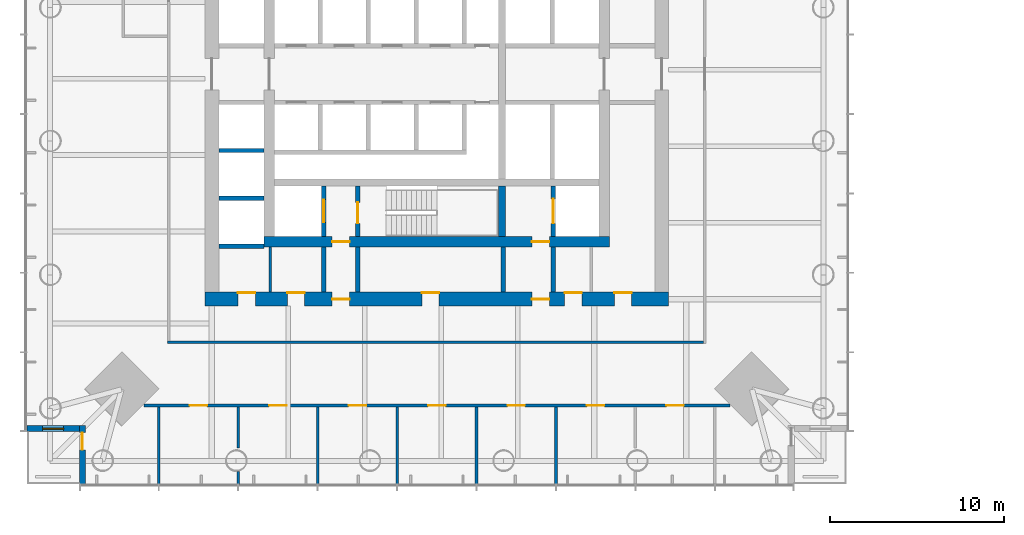
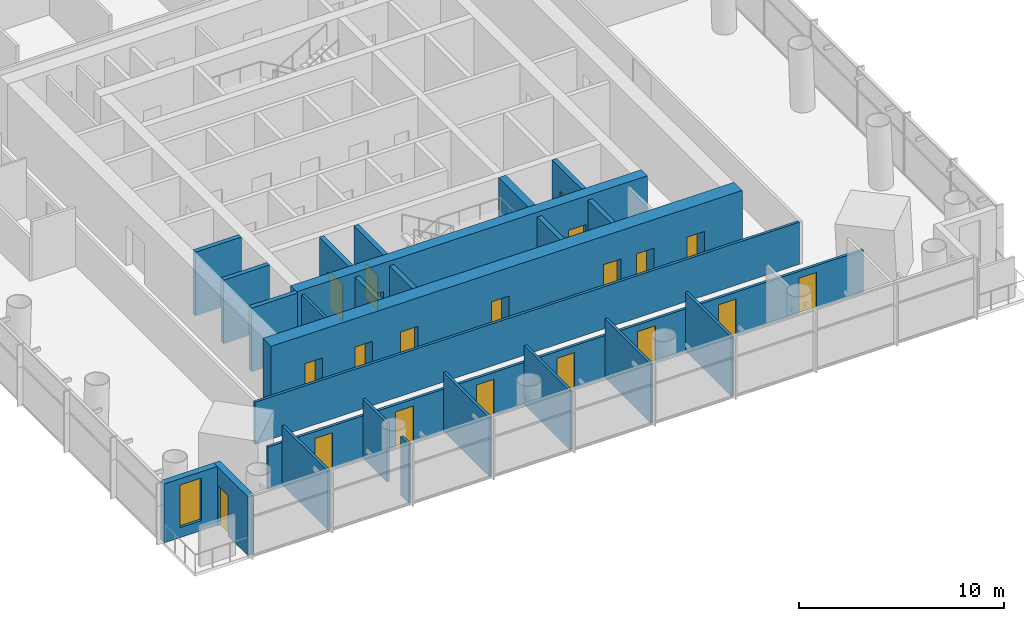
# One storey, part 12 of 24: 25 walls, 20 doors, 1 window, 21 openings.
"""IFC4 building model written with IfcOpenShell, lengths in metres."""

from ifc_helpers import new_model, si_unit, direction, frame, frame_2d, origin, place, context, subcontext, project, spatial, rectangle, extrude, material, layer, layer_set, type_object, element, fill, save


model = new_model("IFC4")

# Units and contexts
model_context = context("Model", 3, precision=1e-05, world=origin(), true_north=direction((0.0, 1.0)))
body_context = subcontext(model_context, "Body", "Model", "MODEL_VIEW")
ifc_project = project(units=[si_unit("LENGTHUNIT", "METRE"), si_unit("AREAUNIT", "SQUARE_METRE"), si_unit("VOLUMEUNIT", "CUBIC_METRE"), si_unit("PLANEANGLEUNIT", "RADIAN"), si_unit("MASSUNIT", "GRAM", prefix="KILO")], contexts=[model_context])

# Site, building, storey
site_placement = place(None, origin())
site = spatial("IfcSite", under=ifc_project, at=site_placement, CompositionType="ELEMENT")
building_placement = place(site_placement, origin())
building = spatial("IfcBuilding", under=site, at=building_placement, Name="Ostroluk Exchange", CompositionType="ELEMENT")
storey_placement = place(building_placement, frame((0.0, 0.0, 78.0)))
storey = spatial("IfcBuildingStorey", under=building, at=storey_placement, Name="L19", CompositionType="ELEMENT", Elevation=78.0)

# Walls
ifc_material_1 = material(Name="Concrete blockwork", Category="masonry")
ifc_layer_1 = layer(ifc_material_1, 0.14990234375)
ifc_layer_set_1 = layer_set([ifc_layer_1], Name="Blockwork plant room wall 150")
wall_type_1 = type_object("IfcWallType", Name="Blockwork plant room wall 150", PredefinedType="SOLIDWALL", material=ifc_layer_set_1)
wall_1_placement = place(storey_placement, frame((35.449951171875, 33.5, 0.0), z_axis=(0.0, 0.0, 1.0), x_axis=(0.0, 1.0, 0.0)))
element("IfcWall", 1, at=wall_1_placement, inside=storey, type_object=wall_type_1, Name="Core room wall", PredefinedType="SOLIDWALL", context=body_context, shape_type="SweptSolid", body=[
    extrude(rectangle(XDim=2.60009765625, YDim=0.14990234375, at=frame_2d((1.300048828125, 0.0))), origin(), (0.0, 0.0, 1.0), 3.52001953125),
])
ifc_material_2 = material(Name="Concrete blockwork", Category="masonry")
ifc_layer_2 = layer(ifc_material_2, 0.25)
ifc_layer_set_2 = layer_set([ifc_layer_2], Name="Blockwork stair enclosure wall 250")
wall_type_2 = type_object("IfcWallType", Name="Blockwork stair enclosure wall 250", PredefinedType="SOLIDWALL", material=ifc_layer_set_2)
for number, where, z_axis, x_axis, name in (
    (2, (38.52490234375, 33.5, 0.0), (0.0, 0.0, 1.0), (0.0, 1.0, 0.0), "Fire lobby enclosure wall"),
    (3, (40.47509765625, 33.5, 0.0), (0.0, 0.0, 1.0), (0.0, 1.0, 0.0), "Fire lobby enclosure wall"),
    (4, (48.804931640625, 33.5, 0.0), (0.0, 0.0, 1.0), (0.0, 1.0, 0.0), "Service lobby enclosure wall"),
    (5, (51.675048828125, 33.5, 0.0), (0.0, 0.0, 1.0), (0.0, 1.0, 0.0), "Service lobby enclosure wall"),
):
    element("IfcWall", number, at=place(storey_placement, frame(where, z_axis=z_axis, x_axis=x_axis)), inside=storey, type_object=wall_type_2, Name=name, PredefinedType="SOLIDWALL", context=body_context, shape_type="SweptSolid", body=[
        extrude(rectangle(XDim=2.60009765625, YDim=0.25, at=frame_2d((1.300048828125, 0.0))), origin(), (0.0, 0.0, 1.0), 3.52001953125),
    ])
ifc_material_3 = material(Name="Concrete C50/60", Category="concrete")
ifc_layer_3 = layer(ifc_material_3, 0.39990234375)
ifc_layer_set_3 = layer_set([ifc_layer_3], Name="Core cross wall 400 C50/60")
wall_type_3 = type_object("IfcWallType", Name="Core cross wall 400 C50/60", PredefinedType="SHEAR", material=ifc_layer_set_3)
wall_2_placement = place(storey_placement, frame((48.72998046875, 36.699951171875, 0.0), z_axis=(0.0, 0.0, 1.0), x_axis=(0.0, 1.0, 0.0)))
element("IfcWall", 6, at=wall_2_placement, inside=storey, type_object=wall_type_3, Name="T1 core wall YE1", PredefinedType="SHEAR", context=body_context, shape_type="SweptSolid", body=[
    extrude(rectangle(XDim=2.900146484375, YDim=0.39990234375, at=frame_2d((1.4501953125, 0.0))), origin(), (0.0, 0.0, 1.0), 3.800048828125),
])

# Wall, opening, door
ifc_material_4 = material(Name="Concrete C40/50", Category="concrete")
ifc_layer_4 = layer(ifc_material_4, 0.25)
ifc_layer_set_4 = layer_set([ifc_layer_4], Name="Core shaft wall 250")
wall_type_4 = type_object("IfcWallType", Name="Core shaft wall 250", PredefinedType="SHEAR", material=ifc_layer_set_4)
wall_3_placement = place(storey_placement, frame((38.52490234375, 36.699951171875, 0.0), z_axis=(0.0, 0.0, 1.0), x_axis=(0.0, 1.0, 0.0)))
wall_3 = element("IfcWall", 7, at=wall_3_placement, inside=storey, type_object=wall_type_4, Name="Firefighting lift shaft wall", PredefinedType="SHEAR", context=body_context, shape_type="SweptSolid", body=[
    extrude(rectangle(XDim=2.900146484375, YDim=0.25, at=frame_2d((1.4501953125, 0.0))), origin(), (0.0, 0.0, 1.0), 3.800048828125),
])
opening_1_placement = place(wall_3_placement, frame((0.800048828125, 0.0, 0.0)))
opening_1 = element("IfcOpeningElement", 8, at=opening_1_placement, cuts=wall_3, Name="Opening LD2", PredefinedType="OPENING", context=body_context, shape_type="SweptSolid", body=[
    extrude(rectangle(XDim=1.300048828125, YDim=2.199951171875, at=frame_2d((0.64990234375, 1.10009765625))), frame((0.0, 0.135009765625, 0.0), z_axis=(0.0, -1.0, 0.0), x_axis=(1.0, 0.0, 0.0)), (0.0, 0.0, 1.0), 0.27001953125),
])
ifc_material_5 = material(Name="Stainless steel", Category="steel")
door_type_1 = type_object("IfcDoorType", Name="Lift landing door E 60 1300 x 2200", OperationType="DOUBLE_DOOR_SLIDING", PredefinedType="DOOR", material=ifc_material_5)
door_1_placement = place(opening_1_placement, origin())
door_1 = element("IfcDoor", 9, at=door_1_placement, inside=storey, type_object=door_type_1, Name="Lift FL1 landing door", OperationType="DOUBLE_DOOR_SLIDING", OverallHeight=2.199951171875, OverallWidth=1.300048828125, PredefinedType="DOOR", context=body_context, shape_type="SweptSolid", body=[
    extrude(rectangle(XDim=1.300048828125, YDim=2.199951171875, at=frame_2d((0.64990234375, 1.10009765625))), frame((0.0, 0.02490234375, 0.0), z_axis=(0.0, -1.0, 0.0), x_axis=(1.0, 0.0, 0.0)), (0.0, 0.0, 1.0), 0.050048828125),
])
fill(opening_1, door_1)

wall_4_placement = place(storey_placement, frame((40.47509765625, 36.699951171875, 0.0), z_axis=(0.0, 0.0, 1.0), x_axis=(0.0, 1.0, 0.0)))
wall_4 = element("IfcWall", 10, at=wall_4_placement, inside=storey, type_object=wall_type_4, Name="Stair shaft wall", PredefinedType="SHEAR", context=body_context, shape_type="SweptSolid", body=[
    extrude(rectangle(XDim=2.900146484375, YDim=0.25, at=frame_2d((1.4501953125, 0.0))), origin(), (0.0, 0.0, 1.0), 3.800048828125),
])
opening_2_placement = place(wall_4_placement, frame((0.75, 0.0, 0.0)))
opening_2 = element("IfcOpeningElement", 11, at=opening_2_placement, cuts=wall_4, Name="Opening FD60S", PredefinedType="OPENING", context=body_context, shape_type="SweptSolid", body=[
    extrude(rectangle(XDim=1.199951171875, YDim=2.10009765625, at=frame_2d((0.60009765625, 1.050048828125))), frame((0.0, 0.135009765625, 0.0), z_axis=(0.0, -1.0, 0.0), x_axis=(1.0, 0.0, 0.0)), (0.0, 0.0, 1.0), 0.27001953125),
])
ifc_material_6 = material(Name="Steel", Category="steel")
door_type_2 = type_object("IfcDoorType", Name="Stair door EI 60 1200 x 2100", OperationType="SINGLE_SWING_LEFT", PredefinedType="DOOR", material=ifc_material_6)
door_2_placement = place(opening_2_placement, origin())
door_2 = element("IfcDoor", 12, at=door_2_placement, inside=storey, type_object=door_type_2, Name="Stair T1-S1 door", OperationType="SINGLE_SWING_LEFT", OverallHeight=2.10009765625, OverallWidth=1.199951171875, PredefinedType="DOOR", context=body_context, shape_type="SweptSolid", body=[
    extrude(rectangle(XDim=1.199951171875, YDim=2.10009765625, at=frame_2d((0.60009765625, 1.050048828125))), frame((0.0, 0.02490234375, 0.0), z_axis=(0.0, -1.0, 0.0), x_axis=(1.0, 0.0, 0.0)), (0.0, 0.0, 1.0), 0.050048828125),
])
fill(opening_2, door_2)

wall_5_placement = place(storey_placement, frame((51.675048828125, 36.699951171875, 0.0), z_axis=(0.0, 0.0, 1.0), x_axis=(0.0, 1.0, 0.0)))
wall_5 = element("IfcWall", 13, at=wall_5_placement, inside=storey, type_object=wall_type_4, Name="Service lift shaft wall", PredefinedType="SHEAR", context=body_context, shape_type="SweptSolid", body=[
    extrude(rectangle(XDim=2.900146484375, YDim=0.25, at=frame_2d((1.4501953125, 0.0))), origin(), (0.0, 0.0, 1.0), 3.800048828125),
])
opening_3_placement = place(wall_5_placement, frame((0.75, 0.0, 0.0)))
opening_3 = element("IfcOpeningElement", 14, at=opening_3_placement, cuts=wall_5, Name="Opening LD3", PredefinedType="OPENING", context=body_context, shape_type="SweptSolid", body=[
    extrude(rectangle(XDim=1.39990234375, YDim=2.39990234375, at=frame_2d((0.699951171875, 1.199951171875))), frame((0.0, 0.135009765625, 0.0), z_axis=(0.0, -1.0, 0.0), x_axis=(1.0, 0.0, 0.0)), (0.0, 0.0, 1.0), 0.27001953125),
])
ifc_material_7 = material(Name="Stainless steel", Category="steel")
door_type_3 = type_object("IfcDoorType", Name="Goods lift landing door E 60 1400 x 2400", OperationType="DOUBLE_DOOR_SLIDING", PredefinedType="DOOR", material=ifc_material_7)
door_3_placement = place(opening_3_placement, origin())
door_3 = element("IfcDoor", 15, at=door_3_placement, inside=storey, type_object=door_type_3, Name="Lift SL1 landing door", OperationType="DOUBLE_DOOR_SLIDING", OverallHeight=2.39990234375, OverallWidth=1.39990234375, PredefinedType="DOOR", context=body_context, shape_type="SweptSolid", body=[
    extrude(rectangle(XDim=1.39990234375, YDim=2.39990234375, at=frame_2d((0.699951171875, 1.199951171875))), frame((0.0, 0.02490234375, 0.0), z_axis=(0.0, -1.0, 0.0), x_axis=(1.0, 0.0, 0.0)), (0.0, 0.0, 1.0), 0.050048828125),
])
fill(opening_3, door_3)

# Walls
for number, where, z_axis, x_axis, name in (
    (16, (32.5, 36.125, 0.0), (0.0, 0.0, 1.0), (1.0, 0.0, 0.0), "Lift shaft wall"),
    (17, (32.5, 38.875, 0.0), (0.0, 0.0, 1.0), (1.0, 0.0, 0.0), "Lift shaft wall"),
    (18, (32.5, 41.625, 0.0), (0.0, 0.0, 1.0), (1.0, 0.0, 0.0), "Lift shaft wall"),
):
    element("IfcWall", number, at=place(storey_placement, frame(where, z_axis=z_axis, x_axis=x_axis)), inside=storey, type_object=wall_type_4, Name=name, PredefinedType="SHEAR", context=body_context, shape_type="SweptSolid", body=[
        extrude(rectangle(XDim=2.60009765625, YDim=0.25, at=frame_2d((1.300048828125, 0.0))), origin(), (0.0, 0.0, 1.0), 3.800048828125),
    ])

# Wall, openings, doors
ifc_material_8 = material(Name="Concrete C50/60", Category="concrete")
ifc_layer_5 = layer(ifc_material_8, 0.60009765625)
ifc_layer_set_5 = layer_set([ifc_layer_5], Name="Core wall 600 C50/60")
wall_type_5 = type_object("IfcWallType", Name="Core wall 600 C50/60", PredefinedType="SHEAR", material=ifc_layer_set_5)
wall_6_placement = place(storey_placement, frame((35.10009765625, 36.39990234375, 0.0), z_axis=(0.0, 0.0, 1.0), x_axis=(1.0, 0.0, 0.0)))
wall_6 = element("IfcWall", 19, at=wall_6_placement, inside=storey, type_object=wall_type_5, Name="T1 core wall S", PredefinedType="SHEAR", context=body_context, shape_type="SweptSolid", body=[
    extrude(rectangle(XDim=19.7998046875, YDim=0.60009765625, at=frame_2d((9.89990234375, 0.0))), origin(), (0.0, 0.0, 1.0), 3.800048828125),
])
opening_4_placement = place(wall_6_placement, frame((3.89990234375, 0.0, 0.0)))
opening_4 = element("IfcOpeningElement", 20, at=opening_4_placement, cuts=wall_6, Name="Opening FD60", PredefinedType="OPENING", context=body_context, shape_type="SweptSolid", body=[
    extrude(rectangle(XDim=1.0, YDim=2.10009765625, at=frame_2d((0.5, 1.050048828125))), frame((0.0, 0.31005859375, 0.0), z_axis=(0.0, -1.0, 0.0), x_axis=(1.0, 0.0, 0.0)), (0.0, 0.0, 1.0), 0.6201171875),
])
opening_5_placement = place(wall_6_placement, frame((15.35009765625, 0.0, 0.0)))
opening_5 = element("IfcOpeningElement", 21, at=opening_5_placement, cuts=wall_6, Name="Opening FD60", PredefinedType="OPENING", context=body_context, shape_type="SweptSolid", body=[
    extrude(rectangle(XDim=1.0, YDim=2.10009765625, at=frame_2d((0.5, 1.050048828125))), frame((0.0, 0.31005859375, 0.0), z_axis=(0.0, -1.0, 0.0), x_axis=(1.0, 0.0, 0.0)), (0.0, 0.0, 1.0), 0.6201171875),
])
ifc_material_9 = material(Name="Steel", Category="steel")
door_type_4 = type_object("IfcDoorType", Name="Fire door EI 60 1000 x 2100", OperationType="SINGLE_SWING_LEFT", PredefinedType="DOOR", material=ifc_material_9)
door_4_placement = place(opening_4_placement, origin())
door_4 = element("IfcDoor", 22, at=door_4_placement, inside=storey, type_object=door_type_4, Name="Firefighting lobby door", OperationType="SINGLE_SWING_LEFT", OverallHeight=2.10009765625, OverallWidth=1.0, PredefinedType="DOOR", context=body_context, shape_type="SweptSolid", body=[
    extrude(rectangle(XDim=1.0, YDim=2.10009765625, at=frame_2d((0.5, 1.050048828125))), frame((0.0, 0.02490234375, 0.0), z_axis=(0.0, -1.0, 0.0), x_axis=(1.0, 0.0, 0.0)), (0.0, 0.0, 1.0), 0.050048828125),
])
fill(opening_4, door_4)
door_5_placement = place(opening_5_placement, origin())
door_5 = element("IfcDoor", 23, at=door_5_placement, inside=storey, type_object=door_type_4, Name="Service lobby door", OperationType="SINGLE_SWING_RIGHT", OverallHeight=2.10009765625, OverallWidth=1.0, PredefinedType="DOOR", context=body_context, shape_type="SweptSolid", body=[
    extrude(rectangle(XDim=1.0, YDim=2.10009765625, at=frame_2d((0.5, 1.050048828125))), frame((0.0, 0.02490234375, 0.0), z_axis=(0.0, -1.0, 0.0), x_axis=(1.0, 0.0, 0.0)), (0.0, 0.0, 1.0), 0.050048828125),
])
fill(opening_5, door_5)

ifc_material_10 = material(Name="Concrete C50/60", Category="concrete")
ifc_layer_6 = layer(ifc_material_10, 0.800048828125)
ifc_layer_set_6 = layer_set([ifc_layer_6], Name="Core wall 800 C50/60")
wall_type_6 = type_object("IfcWallType", Name="Core wall 800 C50/60", PredefinedType="SHEAR", material=ifc_layer_set_6)
wall_7_placement = place(storey_placement, frame((31.699951171875, 33.10009765625, 0.0), z_axis=(0.0, 0.0, 1.0), x_axis=(1.0, 0.0, 0.0)))
wall_7 = element("IfcWall", 24, at=wall_7_placement, inside=storey, type_object=wall_type_6, Name="T1 core wall RS", PredefinedType="SHEAR", context=body_context, shape_type="SweptSolid", body=[
    extrude(rectangle(XDim=26.60009765625, YDim=0.800048828125, at=frame_2d((13.300048828125, 0.0))), origin(), (0.0, 0.0, 1.0), 3.800048828125),
])
opening_6_placement = place(wall_7_placement, frame((7.300048828125, 0.0, 0.0)))
opening_6 = element("IfcOpeningElement", 25, at=opening_6_placement, cuts=wall_7, Name="Opening FD60", PredefinedType="OPENING", context=body_context, shape_type="SweptSolid", body=[
    extrude(rectangle(XDim=1.0, YDim=2.10009765625, at=frame_2d((0.5, 1.050048828125))), frame((0.0, 0.409912109375, 0.0), z_axis=(0.0, -1.0, 0.0), x_axis=(1.0, 0.0, 0.0)), (0.0, 0.0, 1.0), 0.820068359375),
])
opening_7_placement = place(wall_7_placement, frame((18.75, 0.0, 0.0)))
opening_7 = element("IfcOpeningElement", 26, at=opening_7_placement, cuts=wall_7, Name="Opening FD60", PredefinedType="OPENING", context=body_context, shape_type="SweptSolid", body=[
    extrude(rectangle(XDim=1.0, YDim=2.10009765625, at=frame_2d((0.5, 1.050048828125))), frame((0.0, 0.409912109375, 0.0), z_axis=(0.0, -1.0, 0.0), x_axis=(1.0, 0.0, 0.0)), (0.0, 0.0, 1.0), 0.820068359375),
])
opening_8_placement = place(wall_7_placement, frame((1.89990234375, 0.0, 0.0)))
opening_8 = element("IfcOpeningElement", 27, at=opening_8_placement, cuts=wall_7, Name="Opening FD60", PredefinedType="OPENING", context=body_context, shape_type="SweptSolid", body=[
    extrude(rectangle(XDim=1.0, YDim=2.10009765625, at=frame_2d((0.5, 1.050048828125))), frame((0.0, 0.409912109375, 0.0), z_axis=(0.0, -1.0, 0.0), x_axis=(1.0, 0.0, 0.0)), (0.0, 0.0, 1.0), 0.820068359375),
])
opening_9_placement = place(wall_7_placement, frame((4.72509765625, 0.0, 0.0)))
opening_9 = element("IfcOpeningElement", 28, at=opening_9_placement, cuts=wall_7, Name="Opening FD60", PredefinedType="OPENING", context=body_context, shape_type="SweptSolid", body=[
    extrude(rectangle(XDim=1.0, YDim=2.10009765625, at=frame_2d((0.5, 1.050048828125))), frame((0.0, 0.409912109375, 0.0), z_axis=(0.0, -1.0, 0.0), x_axis=(1.0, 0.0, 0.0)), (0.0, 0.0, 1.0), 0.820068359375),
])
opening_10_placement = place(wall_7_placement, frame((12.43994140625, 0.0, 0.0)))
opening_10 = element("IfcOpeningElement", 29, at=opening_10_placement, cuts=wall_7, Name="Opening FD60", PredefinedType="OPENING", context=body_context, shape_type="SweptSolid", body=[
    extrude(rectangle(XDim=1.0, YDim=2.10009765625, at=frame_2d((0.5, 1.050048828125))), frame((0.0, 0.409912109375, 0.0), z_axis=(0.0, -1.0, 0.0), x_axis=(1.0, 0.0, 0.0)), (0.0, 0.0, 1.0), 0.820068359375),
])
opening_11_placement = place(wall_7_placement, frame((20.6259765625, 0.0, 0.0)))
opening_11 = element("IfcOpeningElement", 30, at=opening_11_placement, cuts=wall_7, Name="Opening FD60", PredefinedType="OPENING", context=body_context, shape_type="SweptSolid", body=[
    extrude(rectangle(XDim=1.0, YDim=2.10009765625, at=frame_2d((0.5, 1.050048828125))), frame((0.0, 0.409912109375, 0.0), z_axis=(0.0, -1.0, 0.0), x_axis=(1.0, 0.0, 0.0)), (0.0, 0.0, 1.0), 0.820068359375),
])
opening_12_placement = place(wall_7_placement, frame((23.47607421875, 0.0, 0.0)))
opening_12 = element("IfcOpeningElement", 31, at=opening_12_placement, cuts=wall_7, Name="Opening FD60", PredefinedType="OPENING", context=body_context, shape_type="SweptSolid", body=[
    extrude(rectangle(XDim=1.0, YDim=2.10009765625, at=frame_2d((0.5, 1.050048828125))), frame((0.0, 0.409912109375, 0.0), z_axis=(0.0, -1.0, 0.0), x_axis=(1.0, 0.0, 0.0)), (0.0, 0.0, 1.0), 0.820068359375),
])
door_6_placement = place(opening_6_placement, origin())
door_6 = element("IfcDoor", 32, at=door_6_placement, inside=storey, type_object=door_type_4, Name="Firefighting lobby door", OperationType="SINGLE_SWING_LEFT", OverallHeight=2.10009765625, OverallWidth=1.0, PredefinedType="DOOR", context=body_context, shape_type="SweptSolid", body=[
    extrude(rectangle(XDim=1.0, YDim=2.10009765625, at=frame_2d((0.5, 1.050048828125))), frame((0.0, 0.02490234375, 0.0), z_axis=(0.0, -1.0, 0.0), x_axis=(1.0, 0.0, 0.0)), (0.0, 0.0, 1.0), 0.050048828125),
])
fill(opening_6, door_6)
door_7_placement = place(opening_7_placement, origin())
door_7 = element("IfcDoor", 33, at=door_7_placement, inside=storey, type_object=door_type_4, Name="Service lobby door", OperationType="SINGLE_SWING_RIGHT", OverallHeight=2.10009765625, OverallWidth=1.0, PredefinedType="DOOR", context=body_context, shape_type="SweptSolid", body=[
    extrude(rectangle(XDim=1.0, YDim=2.10009765625, at=frame_2d((0.5, 1.050048828125))), frame((0.0, 0.02490234375, 0.0), z_axis=(0.0, -1.0, 0.0), x_axis=(1.0, 0.0, 0.0)), (0.0, 0.0, 1.0), 0.050048828125),
])
fill(opening_7, door_7)
door_8_placement = place(opening_8_placement, origin())
door_8 = element("IfcDoor", 34, at=door_8_placement, inside=storey, type_object=door_type_4, Name="Archive door", OperationType="SINGLE_SWING_LEFT", OverallHeight=2.10009765625, OverallWidth=1.0, PredefinedType="DOOR", context=body_context, shape_type="SweptSolid", body=[
    extrude(rectangle(XDim=1.0, YDim=2.10009765625, at=frame_2d((0.5, 1.050048828125))), frame((0.0, 0.39013671875, 0.0), z_axis=(0.0, -1.0, 0.0), x_axis=(1.0, 0.0, 0.0)), (0.0, 0.0, 1.0), 0.050048828125),
])
fill(opening_8, door_8)
door_9_placement = place(opening_9_placement, origin())
door_9 = element("IfcDoor", 35, at=door_9_placement, inside=storey, type_object=door_type_4, Name="Tenant IT room door", OperationType="SINGLE_SWING_LEFT", OverallHeight=2.10009765625, OverallWidth=1.0, PredefinedType="DOOR", context=body_context, shape_type="SweptSolid", body=[
    extrude(rectangle(XDim=1.0, YDim=2.10009765625, at=frame_2d((0.5, 1.050048828125))), frame((0.0, 0.39013671875, 0.0), z_axis=(0.0, -1.0, 0.0), x_axis=(1.0, 0.0, 0.0)), (0.0, 0.0, 1.0), 0.050048828125),
])
fill(opening_9, door_9)
door_10_placement = place(opening_10_placement, origin())
door_10 = element("IfcDoor", 36, at=door_10_placement, inside=storey, type_object=door_type_4, Name="Tea point door", OperationType="SINGLE_SWING_LEFT", OverallHeight=2.10009765625, OverallWidth=1.0, PredefinedType="DOOR", context=body_context, shape_type="SweptSolid", body=[
    extrude(rectangle(XDim=1.0, YDim=2.10009765625, at=frame_2d((0.5, 1.050048828125))), frame((0.0, 0.39013671875, 0.0), z_axis=(0.0, -1.0, 0.0), x_axis=(1.0, 0.0, 0.0)), (0.0, 0.0, 1.0), 0.050048828125),
])
fill(opening_10, door_10)
door_11_placement = place(opening_11_placement, origin())
door_11 = element("IfcDoor", 37, at=door_11_placement, inside=storey, type_object=door_type_4, Name="Comms room door", OperationType="SINGLE_SWING_RIGHT", OverallHeight=2.10009765625, OverallWidth=1.0, PredefinedType="DOOR", context=body_context, shape_type="SweptSolid", body=[
    extrude(rectangle(XDim=1.0, YDim=2.10009765625, at=frame_2d((0.5, 1.050048828125))), frame((0.0, 0.39013671875, 0.0), z_axis=(0.0, -1.0, 0.0), x_axis=(1.0, 0.0, 0.0)), (0.0, 0.0, 1.0), 0.050048828125),
])
fill(opening_11, door_11)
door_12_placement = place(opening_12_placement, origin())
door_12 = element("IfcDoor", 38, at=door_12_placement, inside=storey, type_object=door_type_4, Name="First aid room door", OperationType="SINGLE_SWING_RIGHT", OverallHeight=2.10009765625, OverallWidth=1.0, PredefinedType="DOOR", context=body_context, shape_type="SweptSolid", body=[
    extrude(rectangle(XDim=1.0, YDim=2.10009765625, at=frame_2d((0.5, 1.050048828125))), frame((0.0, 0.39013671875, 0.0), z_axis=(0.0, -1.0, 0.0), x_axis=(1.0, 0.0, 0.0)), (0.0, 0.0, 1.0), 0.050048828125),
])
fill(opening_12, door_12)

# Wall, opening, door
ifc_material_11 = material(Name="Limestone", Category="masonry")
ifc_layer_7 = layer(ifc_material_11, 0.35009765625)
ifc_layer_set_7 = layer_set([ifc_layer_7], Name="Limestone facade wall 350")
wall_type_7 = type_object("IfcWallType", Name="Limestone facade wall 350", PredefinedType="SOLIDWALL", material=ifc_layer_set_7)
wall_8_placement = place(storey_placement, frame((24.675048828125, 22.5, 0.0), z_axis=(0.0, 0.0, 1.0), x_axis=(0.0, 1.0, 0.0)))
wall_8 = element("IfcWall", 39, at=wall_8_placement, inside=storey, type_object=wall_type_7, Name="Office tower SW corner wall L19 a", PredefinedType="SOLIDWALL", context=body_context, shape_type="SweptSolid", body=[
    extrude(rectangle(XDim=3.35009765625, YDim=0.35009765625, at=frame_2d((1.675048828125, 0.0))), origin(), (0.0, 0.0, 1.0), 3.52001953125),
])
opening_13_placement = place(wall_8_placement, frame((1.949951171875, 0.0, 0.0)))
opening_13 = element("IfcOpeningElement", 40, at=opening_13_placement, cuts=wall_8, Name="Opening D-B1", PredefinedType="OPENING", context=body_context, shape_type="SweptSolid", body=[
    extrude(rectangle(XDim=1.0, YDim=2.39990234375, at=frame_2d((0.5, 1.199951171875))), frame((0.0, 0.18505859375, 0.0), z_axis=(0.0, -1.0, 0.0), x_axis=(1.0, 0.0, 0.0)), (0.0, 0.0, 1.0), 0.3701171875),
])
ifc_material_12 = material(Name="Bronze framed glazed door", Category="aluminium")
door_type_5 = type_object("IfcDoorType", Name="Balcony door 1000 x 2400", OperationType="SINGLE_SWING_LEFT", PredefinedType="DOOR", material=ifc_material_12)
door_13_placement = place(opening_13_placement, origin())
door_13 = element("IfcDoor", 41, at=door_13_placement, inside=storey, type_object=door_type_5, Name="Office tower SW balcony door L19", OperationType="SINGLE_SWING_RIGHT", OverallHeight=2.39990234375, OverallWidth=1.0, PredefinedType="DOOR", context=body_context, shape_type="SweptSolid", body=[
    extrude(rectangle(XDim=1.0, YDim=2.39990234375, at=frame_2d((0.5, 1.199951171875))), frame((0.0, 0.02490234375, 0.0), z_axis=(0.0, -1.0, 0.0), x_axis=(1.0, 0.0, 0.0)), (0.0, 0.0, 1.0), 0.050048828125),
])
fill(opening_13, door_13)

# Wall, opening, window
wall_9_placement = place(storey_placement, frame((24.5, 25.675048828125, 0.0), z_axis=(0.0, 0.0, 1.0), x_axis=(-1.0, 0.0, 0.0)))
wall_9 = element("IfcWall", 42, at=wall_9_placement, inside=storey, type_object=wall_type_7, Name="Office tower SW corner wall L19 b", PredefinedType="SOLIDWALL", context=body_context, shape_type="SweptSolid", body=[
    extrude(rectangle(XDim=3.0, YDim=0.35009765625, at=frame_2d((1.5, 0.0))), origin(), (0.0, 0.0, 1.0), 3.52001953125),
])
opening_14_placement = place(wall_9_placement, frame((0.89990234375, 0.0, 0.60009765625)))
opening_14 = element("IfcOpeningElement", 43, at=opening_14_placement, cuts=wall_9, Name="Opening WN-L1", PredefinedType="OPENING", context=body_context, shape_type="SweptSolid", body=[
    extrude(rectangle(XDim=1.199951171875, YDim=2.550048828125, at=frame_2d((0.60009765625, 1.27490234375))), frame((0.0, 0.18505859375, 0.0), z_axis=(0.0, -1.0, 0.0), x_axis=(1.0, 0.0, 0.0)), (0.0, 0.0, 1.0), 0.3701171875),
])
ifc_material_13 = material(Name="Laminated clear glass", Category="glass")
window_type = type_object("IfcWindowType", Name="Lancet window 1200 x 2550", PartitioningType="SINGLE_PANEL", PredefinedType="WINDOW", material=ifc_material_13)
window_placement = place(opening_14_placement, origin())
window = element("IfcWindow", 44, at=window_placement, inside=storey, type_object=window_type, Name="Office tower SW lancet window L19", OverallHeight=2.550048828125, OverallWidth=1.199951171875, PartitioningType="SINGLE_PANEL", PredefinedType="WINDOW", context=body_context, shape_type="SweptSolid", body=[
    extrude(rectangle(XDim=1.199951171875, YDim=2.550048828125, at=frame_2d((0.60009765625, 1.27490234375))), frame((0.0, 0.030029296875, 0.0), z_axis=(0.0, -1.0, 0.0), x_axis=(1.0, 0.0, 0.0)), (0.0, 0.0, 1.0), 0.06005859375),
])
fill(opening_14, window)

# Wall, openings, doors
ifc_material_14 = material(Name="Gypsum plasterboard partition", Category="gypsum")
ifc_layer_8 = layer(ifc_material_14, 0.14990234375)
ifc_layer_set_8 = layer_set([ifc_layer_8], Name="Plasterboard partition 150")
wall_type_8 = type_object("IfcWallType", Name="Plasterboard partition 150", PredefinedType="PARTITIONING", material=ifc_layer_set_8)
wall_10_placement = place(storey_placement, frame((28.1962890625, 27.0, 0.0), z_axis=(0.0, 0.0, 1.0), x_axis=(1.0, 0.0, 0.0)))
wall_10 = element("IfcWall", 45, at=wall_10_placement, inside=storey, type_object=wall_type_8, Name="Partition", PredefinedType="PARTITIONING", context=body_context, shape_type="SweptSolid", body=[
    extrude(rectangle(XDim=33.607421875, YDim=0.14990234375, at=frame_2d((16.8037109375, 0.0))), origin(), (0.0, 0.0, 1.0), 2.511962890625),
])
opening_15_placement = place(wall_10_placement, frame((2.636962890625, 0.0, 0.0)))
opening_15 = element("IfcOpeningElement", 46, at=opening_15_placement, cuts=wall_10, Name="Opening D-03", PredefinedType="OPENING", context=body_context, shape_type="SweptSolid", body=[
    extrude(rectangle(XDim=1.0, YDim=2.10009765625, at=frame_2d((0.5, 1.050048828125))), frame((0.0, 0.0849609375, 0.0), z_axis=(0.0, -1.0, 0.0), x_axis=(1.0, 0.0, 0.0)), (0.0, 0.0, 1.0), 0.169921875),
])
opening_16_placement = place(wall_10_placement, frame((7.192626953125, 0.0, 0.0)))
opening_16 = element("IfcOpeningElement", 47, at=opening_16_placement, cuts=wall_10, Name="Opening D-03", PredefinedType="OPENING", context=body_context, shape_type="SweptSolid", body=[
    extrude(rectangle(XDim=1.0, YDim=2.10009765625, at=frame_2d((0.5, 1.050048828125))), frame((0.0, 0.0849609375, 0.0), z_axis=(0.0, -1.0, 0.0), x_axis=(1.0, 0.0, 0.0)), (0.0, 0.0, 1.0), 0.169921875),
])
opening_17_placement = place(wall_10_placement, frame((11.748046875, 0.0, 0.0)))
opening_17 = element("IfcOpeningElement", 48, at=opening_17_placement, cuts=wall_10, Name="Opening D-03", PredefinedType="OPENING", context=body_context, shape_type="SweptSolid", body=[
    extrude(rectangle(XDim=1.0, YDim=2.10009765625, at=frame_2d((0.5, 1.050048828125))), frame((0.0, 0.0849609375, 0.0), z_axis=(0.0, -1.0, 0.0), x_axis=(1.0, 0.0, 0.0)), (0.0, 0.0, 1.0), 0.169921875),
])
opening_18_placement = place(wall_10_placement, frame((16.3037109375, 0.0, 0.0)))
opening_18 = element("IfcOpeningElement", 49, at=opening_18_placement, cuts=wall_10, Name="Opening D-03", PredefinedType="OPENING", context=body_context, shape_type="SweptSolid", body=[
    extrude(rectangle(XDim=1.0, YDim=2.10009765625, at=frame_2d((0.5, 1.050048828125))), frame((0.0, 0.0849609375, 0.0), z_axis=(0.0, -1.0, 0.0), x_axis=(1.0, 0.0, 0.0)), (0.0, 0.0, 1.0), 0.169921875),
])
opening_19_placement = place(wall_10_placement, frame((20.859130859375, 0.0, 0.0)))
opening_19 = element("IfcOpeningElement", 50, at=opening_19_placement, cuts=wall_10, Name="Opening D-03", PredefinedType="OPENING", context=body_context, shape_type="SweptSolid", body=[
    extrude(rectangle(XDim=1.0, YDim=2.10009765625, at=frame_2d((0.5, 1.050048828125))), frame((0.0, 0.0849609375, 0.0), z_axis=(0.0, -1.0, 0.0), x_axis=(1.0, 0.0, 0.0)), (0.0, 0.0, 1.0), 0.169921875),
])
opening_20_placement = place(wall_10_placement, frame((25.414794921875, 0.0, 0.0)))
opening_20 = element("IfcOpeningElement", 51, at=opening_20_placement, cuts=wall_10, Name="Opening D-03", PredefinedType="OPENING", context=body_context, shape_type="SweptSolid", body=[
    extrude(rectangle(XDim=1.0, YDim=2.10009765625, at=frame_2d((0.5, 1.050048828125))), frame((0.0, 0.0849609375, 0.0), z_axis=(0.0, -1.0, 0.0), x_axis=(1.0, 0.0, 0.0)), (0.0, 0.0, 1.0), 0.169921875),
])
opening_21_placement = place(wall_10_placement, frame((29.970458984375, 0.0, 0.0)))
opening_21 = element("IfcOpeningElement", 52, at=opening_21_placement, cuts=wall_10, Name="Opening D-03", PredefinedType="OPENING", context=body_context, shape_type="SweptSolid", body=[
    extrude(rectangle(XDim=1.0, YDim=2.10009765625, at=frame_2d((0.5, 1.050048828125))), frame((0.0, 0.0849609375, 0.0), z_axis=(0.0, -1.0, 0.0), x_axis=(1.0, 0.0, 0.0)), (0.0, 0.0, 1.0), 0.169921875),
])
ifc_material_15 = material(Name="Timber", Category="wood")
door_type_6 = type_object("IfcDoorType", Name="Internal door 1000 x 2100", OperationType="SINGLE_SWING_LEFT", PredefinedType="DOOR", material=ifc_material_15)
door_14_placement = place(opening_15_placement, origin())
door_14 = element("IfcDoor", 53, at=door_14_placement, inside=storey, type_object=door_type_6, Name="Office door", OperationType="SINGLE_SWING_LEFT", OverallHeight=2.10009765625, OverallWidth=1.0, PredefinedType="DOOR", context=body_context, shape_type="SweptSolid", body=[
    extrude(rectangle(XDim=1.0, YDim=2.10009765625, at=frame_2d((0.5, 1.050048828125))), frame((0.0, 0.02490234375, 0.0), z_axis=(0.0, -1.0, 0.0), x_axis=(1.0, 0.0, 0.0)), (0.0, 0.0, 1.0), 0.050048828125),
])
fill(opening_15, door_14)
door_15_placement = place(opening_16_placement, origin())
door_15 = element("IfcDoor", 54, at=door_15_placement, inside=storey, type_object=door_type_6, Name="Office door", OperationType="SINGLE_SWING_LEFT", OverallHeight=2.10009765625, OverallWidth=1.0, PredefinedType="DOOR", context=body_context, shape_type="SweptSolid", body=[
    extrude(rectangle(XDim=1.0, YDim=2.10009765625, at=frame_2d((0.5, 1.050048828125))), frame((0.0, 0.02490234375, 0.0), z_axis=(0.0, -1.0, 0.0), x_axis=(1.0, 0.0, 0.0)), (0.0, 0.0, 1.0), 0.050048828125),
])
fill(opening_16, door_15)
door_16_placement = place(opening_17_placement, origin())
door_16 = element("IfcDoor", 55, at=door_16_placement, inside=storey, type_object=door_type_6, Name="Office door", OperationType="SINGLE_SWING_LEFT", OverallHeight=2.10009765625, OverallWidth=1.0, PredefinedType="DOOR", context=body_context, shape_type="SweptSolid", body=[
    extrude(rectangle(XDim=1.0, YDim=2.10009765625, at=frame_2d((0.5, 1.050048828125))), frame((0.0, 0.02490234375, 0.0), z_axis=(0.0, -1.0, 0.0), x_axis=(1.0, 0.0, 0.0)), (0.0, 0.0, 1.0), 0.050048828125),
])
fill(opening_17, door_16)
door_17_placement = place(opening_18_placement, origin())
door_17 = element("IfcDoor", 56, at=door_17_placement, inside=storey, type_object=door_type_6, Name="Office door", OperationType="SINGLE_SWING_RIGHT", OverallHeight=2.10009765625, OverallWidth=1.0, PredefinedType="DOOR", context=body_context, shape_type="SweptSolid", body=[
    extrude(rectangle(XDim=1.0, YDim=2.10009765625, at=frame_2d((0.5, 1.050048828125))), frame((0.0, 0.02490234375, 0.0), z_axis=(0.0, -1.0, 0.0), x_axis=(1.0, 0.0, 0.0)), (0.0, 0.0, 1.0), 0.050048828125),
])
fill(opening_18, door_17)
door_18_placement = place(opening_19_placement, origin())
door_18 = element("IfcDoor", 57, at=door_18_placement, inside=storey, type_object=door_type_6, Name="Office door", OperationType="SINGLE_SWING_RIGHT", OverallHeight=2.10009765625, OverallWidth=1.0, PredefinedType="DOOR", context=body_context, shape_type="SweptSolid", body=[
    extrude(rectangle(XDim=1.0, YDim=2.10009765625, at=frame_2d((0.5, 1.050048828125))), frame((0.0, 0.02490234375, 0.0), z_axis=(0.0, -1.0, 0.0), x_axis=(1.0, 0.0, 0.0)), (0.0, 0.0, 1.0), 0.050048828125),
])
fill(opening_19, door_18)
door_19_placement = place(opening_20_placement, origin())
door_19 = element("IfcDoor", 58, at=door_19_placement, inside=storey, type_object=door_type_6, Name="Office door", OperationType="SINGLE_SWING_RIGHT", OverallHeight=2.10009765625, OverallWidth=1.0, PredefinedType="DOOR", context=body_context, shape_type="SweptSolid", body=[
    extrude(rectangle(XDim=1.0, YDim=2.10009765625, at=frame_2d((0.5, 1.050048828125))), frame((0.0, 0.02490234375, 0.0), z_axis=(0.0, -1.0, 0.0), x_axis=(1.0, 0.0, 0.0)), (0.0, 0.0, 1.0), 0.050048828125),
])
fill(opening_20, door_19)
door_20_placement = place(opening_21_placement, origin())
door_20 = element("IfcDoor", 59, at=door_20_placement, inside=storey, type_object=door_type_6, Name="Office door", OperationType="SINGLE_SWING_RIGHT", OverallHeight=2.10009765625, OverallWidth=1.0, PredefinedType="DOOR", context=body_context, shape_type="SweptSolid", body=[
    extrude(rectangle(XDim=1.0, YDim=2.10009765625, at=frame_2d((0.5, 1.050048828125))), frame((0.0, 0.02490234375, 0.0), z_axis=(0.0, -1.0, 0.0), x_axis=(1.0, 0.0, 0.0)), (0.0, 0.0, 1.0), 0.050048828125),
])
fill(opening_21, door_20)

# Walls
wall_11_placement = place(storey_placement, frame((29.0556640625, 26.925048828125, 0.0), z_axis=(0.0, 0.0, 1.0), x_axis=(0.0, -1.0, 0.0)))
element("IfcWall", 60, at=wall_11_placement, inside=storey, type_object=wall_type_8, Name="Partition", PredefinedType="PARTITIONING", context=body_context, shape_type="SweptSolid", body=[
    extrude(rectangle(XDim=4.465087890625, YDim=0.14990234375, at=frame_2d((2.232421875, 0.0))), origin(), (0.0, 0.0, 1.0), 3.52001953125),
])
wall_12_placement = place(storey_placement, frame((33.611083984375, 26.925048828125, 0.0), z_axis=(0.0, 0.0, 1.0), x_axis=(0.0, -1.0, 0.0)))
element("IfcWall", 61, at=wall_12_placement, inside=storey, type_object=wall_type_8, Name="Partition", PredefinedType="PARTITIONING", context=body_context, shape_type="SweptSolid", body=[
    extrude(rectangle(XDim=2.372802734375, YDim=0.14990234375, at=frame_2d((1.1865234375, 0.0))), origin(), (0.0, 0.0, 1.0), 3.52001953125),
])
wall_13_placement = place(storey_placement, frame((33.611083984375, 23.2119140625, 0.0), z_axis=(0.0, 0.0, 1.0), x_axis=(0.0, -1.0, 0.0)))
element("IfcWall", 62, at=wall_13_placement, inside=storey, type_object=wall_type_8, Name="Partition", PredefinedType="PARTITIONING", context=body_context, shape_type="SweptSolid", body=[
    extrude(rectangle(XDim=0.751953125, YDim=0.14990234375, at=frame_2d((0.3759765625, 0.0))), origin(), (0.0, 0.0, 1.0), 3.52001953125),
])
for number, where, z_axis, x_axis, name in (
    (63, (38.166748046875, 26.925048828125, 0.0), (0.0, 0.0, 1.0), (0.0, -1.0, 0.0), "Partition"),
    (64, (42.72216796875, 26.925048828125, 0.0), (0.0, 0.0, 1.0), (0.0, -1.0, 0.0), "Partition"),
    (65, (47.27783203125, 26.925048828125, 0.0), (0.0, 0.0, 1.0), (0.0, -1.0, 0.0), "Partition"),
    (66, (51.833251953125, 26.925048828125, 0.0), (0.0, 0.0, 1.0), (0.0, -1.0, 0.0), "Partition"),
):
    element("IfcWall", number, at=place(storey_placement, frame(where, z_axis=z_axis, x_axis=x_axis)), inside=storey, type_object=wall_type_8, Name=name, PredefinedType="PARTITIONING", context=body_context, shape_type="SweptSolid", body=[
        extrude(rectangle(XDim=4.465087890625, YDim=0.14990234375, at=frame_2d((2.232421875, 0.0))), origin(), (0.0, 0.0, 1.0), 3.52001953125),
    ])
wall_14_placement = place(storey_placement, frame((29.550048828125, 30.625, 0.0), z_axis=(0.0, 0.0, 1.0), x_axis=(1.0, 0.0, 0.0)))
element("IfcWall", 67, at=wall_14_placement, inside=storey, type_object=wall_type_8, Name="Corridor wall", PredefinedType="PARTITIONING", context=body_context, shape_type="SweptSolid", body=[
    extrude(rectangle(XDim=30.75, YDim=0.14990234375, at=frame_2d((15.375, 0.0))), origin(), (0.0, 0.0, 1.0), 2.511962890625),
])

save(model, "model.ifc")
